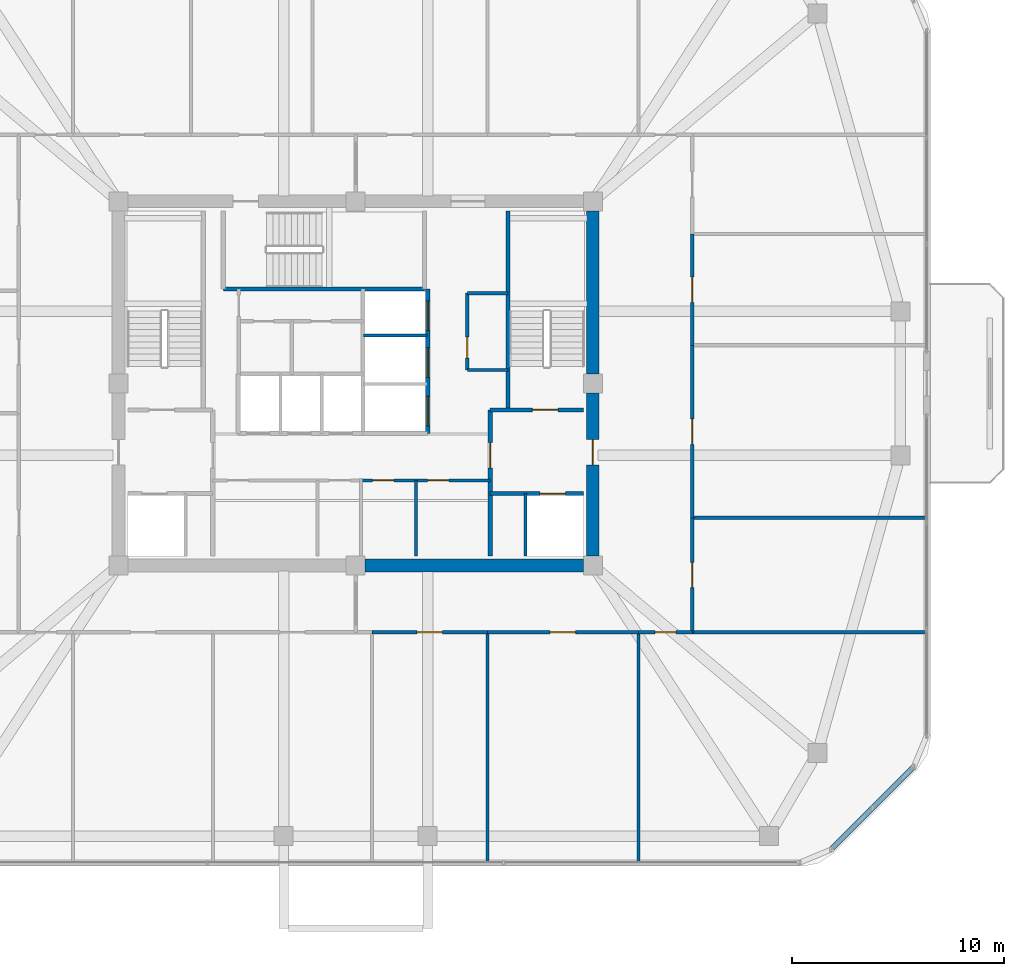
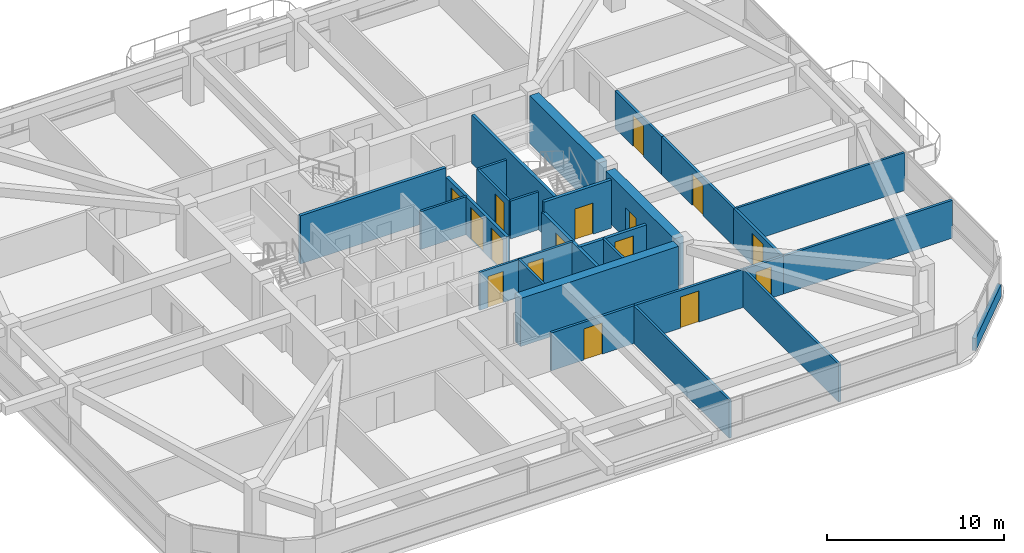
# One storey, part 10 of 14: 27 walls, 16 doors, 16 openings.
"""IFC4 building model written with IfcOpenShell, lengths in metres."""

from ifc_helpers import new_model, si_unit, derived_unit, direction, frame, frame_2d, origin, place, context, subcontext, project, spatial, rectangle, extrude, material, layer, layer_set, type_object, element, fill, save


model = new_model("IFC4")

# Units and contexts
model_context = context("Model", 3, precision=1e-05, world=origin(), true_north=direction((0.0, 1.0)))
body_context = subcontext(model_context, "Body", "Model", "MODEL_VIEW")
ifc_project = project(units=[si_unit("LENGTHUNIT", "METRE"), si_unit("AREAUNIT", "SQUARE_METRE"), si_unit("VOLUMEUNIT", "CUBIC_METRE"), si_unit("PLANEANGLEUNIT", "RADIAN"), si_unit("MASSUNIT", "GRAM", prefix="KILO"), derived_unit("THERMALTRANSMITTANCEUNIT", [(si_unit("POWERUNIT", "WATT"), 1), (si_unit("LENGTHUNIT", "METRE"), -2), (si_unit("THERMODYNAMICTEMPERATUREUNIT", "KELVIN"), -1)])], contexts=[model_context])

# Site, building, storey
site_placement = place(None, origin())
site = spatial("IfcSite", under=ifc_project, at=site_placement, CompositionType="ELEMENT")
building_placement = place(site_placement, origin())
building = spatial("IfcBuilding", under=site, at=building_placement, Name="Koralith Skygarden Medical Center", CompositionType="ELEMENT")
storey_placement = place(building_placement, frame((0.0, 0.0, 225.179931640625)))
storey = spatial("IfcBuildingStorey", under=building, at=storey_placement, Name="L58", CompositionType="ELEMENT", Elevation=225.179931640625)

# Wall, openings, doors
ifc_material_1 = material(Name="Gypsum Board Partition")
ifc_layer_1 = layer(ifc_material_1, 0.14990234375)
ifc_layer_set_1 = layer_set([ifc_layer_1], Name="Gypsum Board Partition")
wall_type_1 = type_object("IfcWallType", Name="Clinical Acoustic Partition 150", PredefinedType="PARTITIONING", material=ifc_layer_set_1)
wall_1_placement = place(storey_placement, frame((37.25, 21.320068359375, 0.0), z_axis=(0.0, 0.0, 1.0), x_axis=(1.0, 0.0, 0.0)))
wall_1 = element("IfcWall", 1, at=wall_1_placement, inside=storey, type_object=wall_type_1, Name="L58 Clinical Acoustic Partition 150 W-CORE-L58-FREED-MR-N", PredefinedType="PARTITIONING", context=body_context, shape_type="SweptSolid", body=[
    extrude(rectangle(XDim=6.10009765625, YDim=0.14990234375, at=frame_2d((3.050048828125, 0.0))), origin(), (0.0, 0.0, 1.0), 2.610107421875),
])
opening_1_placement = place(wall_1_placement, frame((0.550048828125, 0.0, 0.0)))
opening_1 = element("IfcOpeningElement", 2, at=opening_1_placement, cuts=wall_1, Name="Opening D-SUP", PredefinedType="OPENING", context=body_context, shape_type="SweptSolid", body=[
    extrude(rectangle(XDim=1.0, YDim=2.14990234375, at=frame_2d((0.5, 1.074951171875))), frame((0.0, 0.0849609375, 0.0), z_axis=(0.0, -1.0, 0.0), x_axis=(1.0, 0.0, 0.0)), (0.0, 0.0, 1.0), 0.169921875),
])
opening_2_placement = place(wall_1_placement, frame((3.14990234375, 0.0, 0.0)))
opening_2 = element("IfcOpeningElement", 3, at=opening_2_placement, cuts=wall_1, Name="Opening D-SUP", PredefinedType="OPENING", context=body_context, shape_type="SweptSolid", body=[
    extrude(rectangle(XDim=1.0, YDim=2.14990234375, at=frame_2d((0.5, 1.074951171875))), frame((0.0, 0.0849609375, 0.0), z_axis=(0.0, -1.0, 0.0), x_axis=(1.0, 0.0, 0.0)), (0.0, 0.0, 1.0), 0.169921875),
])
ifc_material_2 = material(Name="Aluminium 6063-T6", Category="aluminium")
door_type_1 = type_object("IfcDoorType", Name="Clinical Support Door D-SUP 1000", OperationType="NOTDEFINED", PredefinedType="DOOR", material=ifc_material_2)
door_1_placement = place(opening_1_placement, frame((1.0, 0.0, 0.0), z_axis=(0.0, 0.0, 1.0), x_axis=(-1.0, 0.0, 0.0)))
door_1 = element("IfcDoor", 4, at=door_1_placement, inside=storey, type_object=door_type_1, Name="L58 Satellite Pharmacy Door", OperationType="SINGLE_SWING_LEFT", OverallHeight=2.14990234375, OverallWidth=1.0, PredefinedType="DOOR", context=body_context, shape_type="SweptSolid", body=[
    extrude(rectangle(XDim=1.0, YDim=2.14990234375, at=frame_2d((0.5, 1.074951171875))), frame((0.0, 0.02490234375, 0.0), z_axis=(0.0, -1.0, 0.0), x_axis=(1.0, 0.0, 0.0)), (0.0, 0.0, 1.0), 0.050048828125),
])
fill(opening_1, door_1)
door_2_placement = place(opening_2_placement, frame((1.0, 0.0, 0.0), z_axis=(0.0, 0.0, 1.0), x_axis=(-1.0, 0.0, 0.0)))
door_2 = element("IfcDoor", 5, at=door_2_placement, inside=storey, type_object=door_type_1, Name="L58 Biomedical Equipment Door", OperationType="SINGLE_SWING_RIGHT", OverallHeight=2.14990234375, OverallWidth=1.0, PredefinedType="DOOR", context=body_context, shape_type="SweptSolid", body=[
    extrude(rectangle(XDim=1.0, YDim=2.14990234375, at=frame_2d((0.5, 1.074951171875))), frame((0.0, 0.02490234375, 0.0), z_axis=(0.0, -1.0, 0.0), x_axis=(1.0, 0.0, 0.0)), (0.0, 0.0, 1.0), 0.050048828125),
])
fill(opening_2, door_2)

# Wall
wall_2_placement = place(storey_placement, frame((39.85009765625, 17.75, 0.0), z_axis=(0.0, 0.0, 1.0), x_axis=(0.0, 1.0, 0.0)))
element("IfcWall", 6, at=wall_2_placement, inside=storey, type_object=wall_type_1, Name="L58 Clinical Acoustic Partition 150 W-CORE-L58-FREED-MR-M", PredefinedType="PARTITIONING", context=body_context, shape_type="SweptSolid", body=[
    extrude(rectangle(XDim=3.570068359375, YDim=0.14990234375, at=frame_2d((1.78515625, 0.0))), origin(), (0.0, 0.0, 1.0), 2.610107421875),
])

# Wall, opening, door
wall_3_placement = place(storey_placement, frame((42.27001953125, 26.5400390625, 0.0), z_axis=(0.0, 0.0, 1.0), x_axis=(0.0, 1.0, 0.0)))
wall_3 = element("IfcWall", 7, at=wall_3_placement, inside=storey, type_object=wall_type_1, Name="L58 Clinical Acoustic Partition 150 W-CORE-L58-ESUB-W", PredefinedType="PARTITIONING", context=body_context, shape_type="SweptSolid", body=[
    extrude(rectangle(XDim=3.619873046875, YDim=0.14990234375, at=frame_2d((1.81005859375, 0.0))), origin(), (0.0, 0.0, 1.0), 2.610107421875),
])
opening_3_placement = place(wall_3_placement, frame((0.550048828125, 0.0, 0.0)))
opening_3 = element("IfcOpeningElement", 8, at=opening_3_placement, cuts=wall_3, Name="Opening D-SUP", PredefinedType="OPENING", context=body_context, shape_type="SweptSolid", body=[
    extrude(rectangle(XDim=1.0, YDim=2.14990234375, at=frame_2d((0.5, 1.074951171875))), frame((0.0, 0.0849609375, 0.0), z_axis=(0.0, -1.0, 0.0), x_axis=(1.0, 0.0, 0.0)), (0.0, 0.0, 1.0), 0.169921875),
])
door_3_placement = place(opening_3_placement, origin())
door_3 = element("IfcDoor", 9, at=door_3_placement, inside=storey, type_object=door_type_1, Name="L58 Core Equipment Store Door", OperationType="SINGLE_SWING_LEFT", OverallHeight=2.14990234375, OverallWidth=1.0, PredefinedType="DOOR", context=body_context, shape_type="SweptSolid", body=[
    extrude(rectangle(XDim=1.0, YDim=2.14990234375, at=frame_2d((0.5, 1.074951171875))), frame((0.0, 0.02490234375, 0.0), z_axis=(0.0, -1.0, 0.0), x_axis=(1.0, 0.0, 0.0)), (0.0, 0.0, 1.0), 0.050048828125),
])
fill(opening_3, door_3)

# Walls
for number, where, z_axis, x_axis, name in (
    (10, (42.27001953125, 26.5400390625, 0.0), (0.0, 0.0, 1.0), (1.0, 0.0, 0.0), "L58 Clinical Acoustic Partition 150 W-CORE-L58-ESUB-S"),
    (11, (42.27001953125, 30.159912109375, 0.0), (0.0, 0.0, 1.0), (1.0, 0.0, 0.0), "L58 Clinical Acoustic Partition 150 W-CORE-L58-ESUB-N"),
):
    element("IfcWall", number, at=place(storey_placement, frame(where, z_axis=z_axis, x_axis=x_axis)), inside=storey, type_object=wall_type_1, Name=name, PredefinedType="PARTITIONING", context=body_context, shape_type="SweptSolid", body=[
        extrude(rectangle(XDim=1.929931640625, YDim=0.14990234375, at=frame_2d((0.96484375, 0.0))), origin(), (0.0, 0.0, 1.0), 2.610107421875),
    ])
for number, where, z_axis, x_axis, name in (
    (12, (43.220947265625, 14.14990234375, 0.0), (0.0, 0.0, 1.0), (0.0, -1.0, 0.0), "L58 Clinical Acoustic Partition 150 W-PART-L58-S-04"),
    (13, (50.35009765625, 14.14990234375, 0.0), (0.0, 0.0, 1.0), (0.0, -1.0, 0.0), "L58 Clinical Acoustic Partition 150 W-PART-L58-S-05"),
):
    element("IfcWall", number, at=place(storey_placement, frame(where, z_axis=z_axis, x_axis=x_axis)), inside=storey, type_object=wall_type_1, Name=name, PredefinedType="PARTITIONING", context=body_context, shape_type="SweptSolid", body=[
        extrude(rectangle(XDim=10.849853515625, YDim=0.14990234375, at=frame_2d((5.4248046875, 0.0))), origin(), (0.0, 0.0, 1.0), 2.610107421875),
    ])
wall_4_placement = place(storey_placement, frame((52.89990234375, 19.554931640625, 0.0), z_axis=(0.0, 0.0, 1.0), x_axis=(1.0, 0.0, 0.0)))
element("IfcWall", 14, at=wall_4_placement, inside=storey, type_object=wall_type_1, Name="L58 Clinical Acoustic Partition 150 W-PART-L58-E-01", PredefinedType="PARTITIONING", context=body_context, shape_type="SweptSolid", body=[
    extrude(rectangle(XDim=11.0419921875, YDim=0.14990234375, at=frame_2d((5.52099609375, 0.0))), origin(), (0.0, 0.0, 1.0), 2.610107421875),
])
ifc_layer_2 = layer(ifc_material_1, 0.1650390625)
ifc_layer_set_2 = layer_set([ifc_layer_2], Name="Gypsum Board Partition")
wall_type_2 = type_object("IfcWallType", Name="Clinical Corridor Partition 165", PredefinedType="PARTITIONING", material=ifc_layer_set_2)
wall_5_placement = place(storey_placement, frame((52.89990234375, 14.14990234375, 0.0), z_axis=(0.0, 0.0, 1.0), x_axis=(1.0, 0.0, 0.0)))
element("IfcWall", 15, at=wall_5_placement, inside=storey, type_object=wall_type_2, Name="L58 Clinical Corridor Partition 165 W-WB-L58-SE", PredefinedType="PARTITIONING", context=body_context, shape_type="SweptSolid", body=[
    extrude(rectangle(XDim=11.0419921875, YDim=0.1650390625, at=frame_2d((5.52099609375, 0.0))), origin(), (0.0, 0.0, 1.0), 2.610107421875),
])

# Wall, opening, door
wall_6_placement = place(storey_placement, frame((37.777099609375, 14.14990234375, 0.0), z_axis=(0.0, 0.0, 1.0), x_axis=(1.0, 0.0, 0.0)))
wall_6 = element("IfcWall", 16, at=wall_6_placement, inside=storey, type_object=wall_type_2, Name="L58 Clinical Corridor Partition 165 W-CORR-L58-S-04", PredefinedType="PARTITIONING", context=body_context, shape_type="SweptSolid", body=[
    extrude(rectangle(XDim=5.44384765625, YDim=0.1650390625, at=frame_2d((2.721923828125, 0.0))), origin(), (0.0, 0.0, 1.0), 2.610107421875),
])
opening_4_placement = place(wall_6_placement, frame((2.1220703125, 0.0, 0.0)))
opening_4 = element("IfcOpeningElement", 17, at=opening_4_placement, cuts=wall_6, Name="Opening D-CLN", PredefinedType="OPENING", context=body_context, shape_type="SweptSolid", body=[
    extrude(rectangle(XDim=1.199951171875, YDim=2.14990234375, at=frame_2d((0.60009765625, 1.074951171875))), frame((0.0, 0.092529296875, 0.0), z_axis=(0.0, -1.0, 0.0), x_axis=(1.0, 0.0, 0.0)), (0.0, 0.0, 1.0), 0.18505859375),
])
door_type_2 = type_object("IfcDoorType", Name="Clinical Corridor Door D-CLN 1200", OperationType="NOTDEFINED", PredefinedType="DOOR", material=ifc_material_2)
door_4_placement = place(opening_4_placement, frame((1.199951171875, 0.0, 0.0), z_axis=(0.0, 0.0, 1.0), x_axis=(-1.0, 0.0, 0.0)))
door_4 = element("IfcDoor", 18, at=door_4_placement, inside=storey, type_object=door_type_2, Name="L58 Medical Resident Teaching Seminar Room 10 Door", OperationType="SINGLE_SWING_LEFT", OverallHeight=2.14990234375, OverallWidth=1.199951171875, PredefinedType="DOOR", context=body_context, shape_type="SweptSolid", body=[
    extrude(rectangle(XDim=1.199951171875, YDim=2.14990234375, at=frame_2d((0.60009765625, 1.074951171875))), frame((0.0, 0.02490234375, 0.0), z_axis=(0.0, -1.0, 0.0), x_axis=(1.0, 0.0, 0.0)), (0.0, 0.0, 1.0), 0.050048828125),
])
fill(opening_4, door_4)

wall_7_placement = place(storey_placement, frame((43.220947265625, 14.14990234375, 0.0), z_axis=(0.0, 0.0, 1.0), x_axis=(1.0, 0.0, 0.0)))
wall_7 = element("IfcWall", 19, at=wall_7_placement, inside=storey, type_object=wall_type_2, Name="L58 Clinical Corridor Partition 165 W-CORR-L58-S-05", PredefinedType="PARTITIONING", context=body_context, shape_type="SweptSolid", body=[
    extrude(rectangle(XDim=7.129150390625, YDim=0.1650390625, at=frame_2d((3.564453125, 0.0))), origin(), (0.0, 0.0, 1.0), 2.610107421875),
])
opening_5_placement = place(wall_7_placement, frame((2.965087890625, 0.0, 0.0)))
opening_5 = element("IfcOpeningElement", 20, at=opening_5_placement, cuts=wall_7, Name="Opening D-CLN", PredefinedType="OPENING", context=body_context, shape_type="SweptSolid", body=[
    extrude(rectangle(XDim=1.199951171875, YDim=2.14990234375, at=frame_2d((0.60009765625, 1.074951171875))), frame((0.0, 0.092529296875, 0.0), z_axis=(0.0, -1.0, 0.0), x_axis=(1.0, 0.0, 0.0)), (0.0, 0.0, 1.0), 0.18505859375),
])
door_5_placement = place(opening_5_placement, frame((1.199951171875, 0.0, 0.0), z_axis=(0.0, 0.0, 1.0), x_axis=(-1.0, 0.0, 0.0)))
door_5 = element("IfcDoor", 21, at=door_5_placement, inside=storey, type_object=door_type_2, Name="L58 Care Coordinator Office 11 Door", OperationType="SINGLE_SWING_RIGHT", OverallHeight=2.14990234375, OverallWidth=1.199951171875, PredefinedType="DOOR", context=body_context, shape_type="SweptSolid", body=[
    extrude(rectangle(XDim=1.199951171875, YDim=2.14990234375, at=frame_2d((0.60009765625, 1.074951171875))), frame((0.0, 0.02490234375, 0.0), z_axis=(0.0, -1.0, 0.0), x_axis=(1.0, 0.0, 0.0)), (0.0, 0.0, 1.0), 0.050048828125),
])
fill(opening_5, door_5)

wall_8_placement = place(storey_placement, frame((50.35009765625, 14.14990234375, 0.0), z_axis=(0.0, 0.0, 1.0), x_axis=(1.0, 0.0, 0.0)))
wall_8 = element("IfcWall", 22, at=wall_8_placement, inside=storey, type_object=wall_type_2, Name="L58 Clinical Corridor Partition 165 W-CORR-L58-S-06", PredefinedType="PARTITIONING", context=body_context, shape_type="SweptSolid", body=[
    extrude(rectangle(XDim=2.5498046875, YDim=0.1650390625, at=frame_2d((1.27490234375, 0.0))), origin(), (0.0, 0.0, 1.0), 2.610107421875),
])
opening_6_placement = place(wall_8_placement, frame((0.77490234375, 0.0, 0.0)))
opening_6 = element("IfcOpeningElement", 23, at=opening_6_placement, cuts=wall_8, Name="Opening D-SUP", PredefinedType="OPENING", context=body_context, shape_type="SweptSolid", body=[
    extrude(rectangle(XDim=1.0, YDim=2.14990234375, at=frame_2d((0.5, 1.074951171875))), frame((0.0, 0.092529296875, 0.0), z_axis=(0.0, -1.0, 0.0), x_axis=(1.0, 0.0, 0.0)), (0.0, 0.0, 1.0), 0.18505859375),
])
door_6_placement = place(opening_6_placement, frame((1.0, 0.0, 0.0), z_axis=(0.0, 0.0, 1.0), x_axis=(-1.0, 0.0, 0.0)))
door_6 = element("IfcDoor", 24, at=door_6_placement, inside=storey, type_object=door_type_1, Name="L58 Sterile Supply Equipment Store 12 Door", OperationType="SINGLE_SWING_LEFT", OverallHeight=2.14990234375, OverallWidth=1.0, PredefinedType="DOOR", context=body_context, shape_type="SweptSolid", body=[
    extrude(rectangle(XDim=1.0, YDim=2.14990234375, at=frame_2d((0.5, 1.074951171875))), frame((0.0, 0.02490234375, 0.0), z_axis=(0.0, -1.0, 0.0), x_axis=(1.0, 0.0, 0.0)), (0.0, 0.0, 1.0), 0.050048828125),
])
fill(opening_6, door_6)

wall_9_placement = place(storey_placement, frame((52.89990234375, 14.14990234375, 0.0), z_axis=(0.0, 0.0, 1.0), x_axis=(0.0, 1.0, 0.0)))
wall_9 = element("IfcWall", 25, at=wall_9_placement, inside=storey, type_object=wall_type_2, Name="L58 Clinical Corridor Partition 165 W-CORR-L58-E-01", PredefinedType="PARTITIONING", context=body_context, shape_type="SweptSolid", body=[
    extrude(rectangle(XDim=5.405029296875, YDim=0.1650390625, at=frame_2d((2.70263671875, 0.0))), origin(), (0.0, 0.0, 1.0), 2.610107421875),
])
opening_7_placement = place(wall_9_placement, frame((2.10205078125, 0.0, 0.0)))
opening_7 = element("IfcOpeningElement", 26, at=opening_7_placement, cuts=wall_9, Name="Opening D-CLN", PredefinedType="OPENING", context=body_context, shape_type="SweptSolid", body=[
    extrude(rectangle(XDim=1.199951171875, YDim=2.14990234375, at=frame_2d((0.60009765625, 1.074951171875))), frame((0.0, 0.092529296875, 0.0), z_axis=(0.0, -1.0, 0.0), x_axis=(1.0, 0.0, 0.0)), (0.0, 0.0, 1.0), 0.18505859375),
])
door_7_placement = place(opening_7_placement, origin())
door_7 = element("IfcDoor", 27, at=door_7_placement, inside=storey, type_object=door_type_2, Name="L58 Sterile Supply Equipment Store 16 Door", OperationType="SINGLE_SWING_LEFT", OverallHeight=2.14990234375, OverallWidth=1.199951171875, PredefinedType="DOOR", context=body_context, shape_type="SweptSolid", body=[
    extrude(rectangle(XDim=1.199951171875, YDim=2.14990234375, at=frame_2d((0.60009765625, 1.074951171875))), frame((0.0, 0.02490234375, 0.0), z_axis=(0.0, -1.0, 0.0), x_axis=(1.0, 0.0, 0.0)), (0.0, 0.0, 1.0), 0.050048828125),
])
fill(opening_7, door_7)

wall_10_placement = place(storey_placement, frame((52.89990234375, 19.554931640625, 0.0), z_axis=(0.0, 0.0, 1.0), x_axis=(0.0, 1.0, 0.0)))
wall_10 = element("IfcWall", 28, at=wall_10_placement, inside=storey, type_object=wall_type_2, Name="L58 Clinical Corridor Partition 165 W-CORR-L58-E-02", PredefinedType="PARTITIONING", context=body_context, shape_type="SweptSolid", body=[
    extrude(rectangle(XDim=8.14501953125, YDim=0.1650390625, at=frame_2d((4.072509765625, 0.0))), origin(), (0.0, 0.0, 1.0), 2.610107421875),
])
opening_8_placement = place(wall_10_placement, frame((3.471923828125, 0.0, 0.0)))
opening_8 = element("IfcOpeningElement", 29, at=opening_8_placement, cuts=wall_10, Name="Opening D-CLN", PredefinedType="OPENING", context=body_context, shape_type="SweptSolid", body=[
    extrude(rectangle(XDim=1.199951171875, YDim=2.14990234375, at=frame_2d((0.60009765625, 1.074951171875))), frame((0.0, 0.092529296875, 0.0), z_axis=(0.0, -1.0, 0.0), x_axis=(1.0, 0.0, 0.0)), (0.0, 0.0, 1.0), 0.18505859375),
])
door_8_placement = place(opening_8_placement, origin())
door_8 = element("IfcDoor", 30, at=door_8_placement, inside=storey, type_object=door_type_2, Name="L58 Patient and Family Sky-Garden Day Lounge 17 Door", OperationType="SINGLE_SWING_RIGHT", OverallHeight=2.14990234375, OverallWidth=1.199951171875, PredefinedType="DOOR", context=body_context, shape_type="SweptSolid", body=[
    extrude(rectangle(XDim=1.199951171875, YDim=2.14990234375, at=frame_2d((0.60009765625, 1.074951171875))), frame((0.0, 0.02490234375, 0.0), z_axis=(0.0, -1.0, 0.0), x_axis=(1.0, 0.0, 0.0)), (0.0, 0.0, 1.0), 0.050048828125),
])
fill(opening_8, door_8)

wall_11_placement = place(storey_placement, frame((52.89990234375, 27.699951171875, 0.0), z_axis=(0.0, 0.0, 1.0), x_axis=(0.0, 1.0, 0.0)))
wall_11 = element("IfcWall", 31, at=wall_11_placement, inside=storey, type_object=wall_type_2, Name="L58 Clinical Corridor Partition 165 W-CORR-L58-E-03", PredefinedType="PARTITIONING", context=body_context, shape_type="SweptSolid", body=[
    extrude(rectangle(XDim=5.25, YDim=0.1650390625, at=frame_2d((2.625, 0.0))), origin(), (0.0, 0.0, 1.0), 2.610107421875),
])
opening_9_placement = place(wall_11_placement, frame((2.02490234375, 0.0, 0.0)))
opening_9 = element("IfcOpeningElement", 32, at=opening_9_placement, cuts=wall_11, Name="Opening D-CLN", PredefinedType="OPENING", context=body_context, shape_type="SweptSolid", body=[
    extrude(rectangle(XDim=1.199951171875, YDim=2.14990234375, at=frame_2d((0.60009765625, 1.074951171875))), frame((0.0, 0.092529296875, 0.0), z_axis=(0.0, -1.0, 0.0), x_axis=(1.0, 0.0, 0.0)), (0.0, 0.0, 1.0), 0.18505859375),
])
door_9_placement = place(opening_9_placement, origin())
door_9 = element("IfcDoor", 33, at=door_9_placement, inside=storey, type_object=door_type_2, Name="L58 Clinical Consultation Office 18 Door", OperationType="SINGLE_SWING_LEFT", OverallHeight=2.14990234375, OverallWidth=1.199951171875, PredefinedType="DOOR", context=body_context, shape_type="SweptSolid", body=[
    extrude(rectangle(XDim=1.199951171875, YDim=2.14990234375, at=frame_2d((0.60009765625, 1.074951171875))), frame((0.0, 0.02490234375, 0.0), z_axis=(0.0, -1.0, 0.0), x_axis=(1.0, 0.0, 0.0)), (0.0, 0.0, 1.0), 0.050048828125),
])
fill(opening_9, door_9)

ifc_layer_3 = layer(ifc_material_1, 0.199951171875)
ifc_layer_set_3 = layer_set([ifc_layer_3], Name="Gypsum Board Partition")
wall_type_3 = type_object("IfcWallType", Name="Fire Shaft Wall 200", PredefinedType="SOLIDWALL", material=ifc_layer_set_3)
wall_12_placement = place(storey_placement, frame((43.35009765625, 20.699951171875, 0.0), z_axis=(0.0, 0.0, 1.0), x_axis=(1.0, 0.0, 0.0)))
wall_12 = element("IfcWall", 34, at=wall_12_placement, inside=storey, type_object=wall_type_3, Name="L58 Fire Shaft Wall 200 W-CORE-L58-FF2-N", PredefinedType="SOLIDWALL", context=body_context, shape_type="SweptSolid", body=[
    extrude(rectangle(XDim=4.39990234375, YDim=0.199951171875, at=frame_2d((2.199951171875, 0.0))), origin(), (0.0, 0.0, 1.0), 2.610107421875),
])
opening_10_placement = place(wall_12_placement, frame((2.35009765625, 0.0, 0.0)))
opening_10 = element("IfcOpeningElement", 35, at=opening_10_placement, cuts=wall_12, Name="Opening LD-FF", PredefinedType="OPENING", context=body_context, shape_type="SweptSolid", body=[
    extrude(rectangle(XDim=1.199951171875, YDim=2.14990234375, at=frame_2d((0.60009765625, 1.074951171875))), frame((0.0, 0.10986328125, 0.0), z_axis=(0.0, -1.0, 0.0), x_axis=(1.0, 0.0, 0.0)), (0.0, 0.0, 1.0), 0.219970703125),
])
ifc_material_3 = material(Name="Steel ASTM A500 Grade C", Category="steel")
door_type_3 = type_object("IfcDoorType", Name="Fire Lift Sliding Landing Door LD-FF 1200", OperationType="NOTDEFINED", PredefinedType="DOOR", material=ifc_material_3)
door_10_placement = place(opening_10_placement, origin())
door_10 = element("IfcDoor", 36, at=door_10_placement, inside=storey, type_object=door_type_3, Name="L58 Fire Service Elevator FF2 Landing Door", OperationType="SLIDING_TO_RIGHT", OverallHeight=2.14990234375, OverallWidth=1.199951171875, PredefinedType="DOOR", context=body_context, shape_type="SweptSolid", body=[
    extrude(rectangle(XDim=1.199951171875, YDim=2.14990234375, at=frame_2d((0.60009765625, 1.074951171875))), frame((0.0, 0.02490234375, 0.0), z_axis=(0.0, -1.0, 0.0), x_axis=(1.0, 0.0, 0.0)), (0.0, 0.0, 1.0), 0.050048828125),
])
fill(opening_10, door_10)

wall_13_placement = place(storey_placement, frame((43.35009765625, 17.75, 0.0), z_axis=(0.0, 0.0, 1.0), x_axis=(0.0, 1.0, 0.0)))
wall_13 = element("IfcWall", 37, at=wall_13_placement, inside=storey, type_object=wall_type_3, Name="L58 Fire Shaft Wall 200 W-CORE-L58-FSAEE-W", PredefinedType="SOLIDWALL", context=body_context, shape_type="SweptSolid", body=[
    extrude(rectangle(XDim=6.89990234375, YDim=0.199951171875, at=frame_2d((3.449951171875, 0.0))), origin(), (0.0, 0.0, 1.0), 2.610107421875),
])
opening_11_placement = place(wall_13_placement, frame((4.14990234375, 0.0, 0.0)))
opening_11 = element("IfcOpeningElement", 38, at=opening_11_placement, cuts=wall_13, Name="Opening D-ST60", PredefinedType="OPENING", context=body_context, shape_type="SweptSolid", body=[
    extrude(rectangle(XDim=1.199951171875, YDim=2.14990234375, at=frame_2d((0.60009765625, 1.074951171875))), frame((0.0, 0.10986328125, 0.0), z_axis=(0.0, -1.0, 0.0), x_axis=(1.0, 0.0, 0.0)), (0.0, 0.0, 1.0), 0.219970703125),
])
door_type_4 = type_object("IfcDoorType", Name="Smokeproof Stair Fire Door FD60S 1200", OperationType="NOTDEFINED", PredefinedType="DOOR", material=ifc_material_3)
door_11_placement = place(opening_11_placement, frame((1.199951171875, 0.0, 0.0), z_axis=(0.0, 0.0, 1.0), x_axis=(-1.0, 0.0, 0.0)))
door_11 = element("IfcDoor", 39, at=door_11_placement, inside=storey, type_object=door_type_4, Name="L58 East Firefighting Lobby Inner Fire Door", OperationType="SINGLE_SWING_RIGHT", OverallHeight=2.14990234375, OverallWidth=1.199951171875, PredefinedType="DOOR", context=body_context, shape_type="SweptSolid", body=[
    extrude(rectangle(XDim=1.199951171875, YDim=2.14990234375, at=frame_2d((0.60009765625, 1.074951171875))), frame((0.0, 0.02490234375, 0.0), z_axis=(0.0, -1.0, 0.0), x_axis=(1.0, 0.0, 0.0)), (0.0, 0.0, 1.0), 0.050048828125),
])
fill(opening_11, door_11)

# Wall, openings, doors
wall_14_placement = place(storey_placement, frame((40.39990234375, 23.5400390625, 0.0), z_axis=(0.0, 0.0, 1.0), x_axis=(0.0, 1.0, 0.0)))
wall_14 = element("IfcWall", 40, at=wall_14_placement, inside=storey, type_object=wall_type_3, Name="L58 Fire Shaft Wall 200 W-CORE-L58-SV-E", PredefinedType="SOLIDWALL", context=body_context, shape_type="SweptSolid", body=[
    extrude(rectangle(XDim=6.820068359375, YDim=0.199951171875, at=frame_2d((3.41015625, 0.0))), origin(), (0.0, 0.0, 1.0), 2.610107421875),
])
opening_12_placement = place(wall_14_placement, frame((0.35009765625, 0.0, 0.0)))
opening_12 = element("IfcOpeningElement", 41, at=opening_12_placement, cuts=wall_14, Name="Opening LD-SV", PredefinedType="OPENING", context=body_context, shape_type="SweptSolid", body=[
    extrude(rectangle(XDim=1.39990234375, YDim=2.199951171875, at=frame_2d((0.699951171875, 1.10009765625))), frame((0.0, 0.10986328125, 0.0), z_axis=(0.0, -1.0, 0.0), x_axis=(1.0, 0.0, 0.0)), (0.0, 0.0, 1.0), 0.219970703125),
])
opening_13_placement = place(wall_14_placement, frame((2.64990234375, 0.0, 0.0)))
opening_13 = element("IfcOpeningElement", 42, at=opening_13_placement, cuts=wall_14, Name="Opening LD-SV", PredefinedType="OPENING", context=body_context, shape_type="SweptSolid", body=[
    extrude(rectangle(XDim=1.39990234375, YDim=2.199951171875, at=frame_2d((0.699951171875, 1.10009765625))), frame((0.0, 0.10986328125, 0.0), z_axis=(0.0, -1.0, 0.0), x_axis=(1.0, 0.0, 0.0)), (0.0, 0.0, 1.0), 0.219970703125),
])
opening_14_placement = place(wall_14_placement, frame((4.85009765625, 0.0, 0.0)))
opening_14 = element("IfcOpeningElement", 43, at=opening_14_placement, cuts=wall_14, Name="Opening LD-SV", PredefinedType="OPENING", context=body_context, shape_type="SweptSolid", body=[
    extrude(rectangle(XDim=1.39990234375, YDim=2.199951171875, at=frame_2d((0.699951171875, 1.10009765625))), frame((0.0, 0.10986328125, 0.0), z_axis=(0.0, -1.0, 0.0), x_axis=(1.0, 0.0, 0.0)), (0.0, 0.0, 1.0), 0.219970703125),
])
door_type_5 = type_object("IfcDoorType", Name="Bed Lift Sliding Landing Door LD-SV 1400", OperationType="NOTDEFINED", PredefinedType="DOOR", material=ifc_material_3)
door_12_placement = place(opening_12_placement, origin())
door_12 = element("IfcDoor", 44, at=door_12_placement, inside=storey, type_object=door_type_5, Name="L58 Bed Elevator BD1 Landing Door", OperationType="SLIDING_TO_LEFT", OverallHeight=2.199951171875, OverallWidth=1.39990234375, PredefinedType="DOOR", context=body_context, shape_type="SweptSolid", body=[
    extrude(rectangle(XDim=1.39990234375, YDim=2.199951171875, at=frame_2d((0.699951171875, 1.10009765625))), frame((0.0, 0.02490234375, 0.0), z_axis=(0.0, -1.0, 0.0), x_axis=(1.0, 0.0, 0.0)), (0.0, 0.0, 1.0), 0.050048828125),
])
fill(opening_12, door_12)
door_13_placement = place(opening_13_placement, origin())
door_13 = element("IfcDoor", 45, at=door_13_placement, inside=storey, type_object=door_type_5, Name="L58 Service Elevator BD2 Landing Door", OperationType="SLIDING_TO_LEFT", OverallHeight=2.199951171875, OverallWidth=1.39990234375, PredefinedType="DOOR", context=body_context, shape_type="SweptSolid", body=[
    extrude(rectangle(XDim=1.39990234375, YDim=2.199951171875, at=frame_2d((0.699951171875, 1.10009765625))), frame((0.0, 0.02490234375, 0.0), z_axis=(0.0, -1.0, 0.0), x_axis=(1.0, 0.0, 0.0)), (0.0, 0.0, 1.0), 0.050048828125),
])
fill(opening_13, door_13)
door_14_placement = place(opening_14_placement, origin())
door_14 = element("IfcDoor", 46, at=door_14_placement, inside=storey, type_object=door_type_5, Name="L58 Trauma Elevator TR1 Landing Door", OperationType="SLIDING_TO_RIGHT", OverallHeight=2.199951171875, OverallWidth=1.39990234375, PredefinedType="DOOR", context=body_context, shape_type="SweptSolid", body=[
    extrude(rectangle(XDim=1.39990234375, YDim=2.199951171875, at=frame_2d((0.699951171875, 1.10009765625))), frame((0.0, 0.02490234375, 0.0), z_axis=(0.0, -1.0, 0.0), x_axis=(1.0, 0.0, 0.0)), (0.0, 0.0, 1.0), 0.050048828125),
])
fill(opening_14, door_14)

# Walls
ifc_material_4 = material(Name="Warm Oolitic Limestone Cladding", Category="masonry")
ifc_layer_4 = layer(ifc_material_4, 0.239990234375)
ifc_layer_set_4 = layer_set([ifc_layer_4], Name="Warm Oolitic Limestone Cladding")
wall_type_4 = type_object("IfcWallType", Name="Limestone Spandrel Sill Backup Wall 240", PredefinedType="SOLIDWALL", material=ifc_layer_set_4)
wall_15_placement = place(storey_placement, frame((59.43798828125, 3.881103515625, 0.0), z_axis=(0.0, 0.0, 1.0), x_axis=(0.707128783731, 0.707084777957, 0.0)))
element("IfcWall", 47, at=wall_15_placement, inside=storey, type_object=wall_type_4, Name="L58 Sill Spandrel SE", PredefinedType="SOLIDWALL", context=body_context, shape_type="SweptSolid", body=[
    extrude(rectangle(XDim=5.5478515625, YDim=0.239990234375, at=frame_2d((2.77392578125, 0.0))), origin(), (0.0, 0.0, 1.0), 0.85009765625),
])
ifc_layer_5 = layer(ifc_material_1, 0.14990234375)
ifc_layer_set_5 = layer_set([ifc_layer_5], Name="Gypsum Board Partition")
wall_type_5 = type_object("IfcWallType", Name="Shaft Partition Wall 150", PredefinedType="PARTITIONING", material=ifc_layer_set_5)
wall_16_placement = place(storey_placement, frame((45.02001953125, 17.75, 0.0), z_axis=(0.0, 0.0, 1.0), x_axis=(0.0, 1.0, 0.0)))
element("IfcWall", 48, at=wall_16_placement, inside=storey, type_object=wall_type_5, Name="L58 Shaft Partition Wall 150 W-CORE-L58-RSRE-DIV", PredefinedType="PARTITIONING", context=body_context, shape_type="SweptSolid", body=[
    extrude(rectangle(XDim=2.949951171875, YDim=0.14990234375, at=frame_2d((1.47509765625, 0.0))), origin(), (0.0, 0.0, 1.0), 2.610107421875),
])
wall_17_placement = place(storey_placement, frame((37.3701171875, 28.169921875, 0.0), z_axis=(0.0, 0.0, 1.0), x_axis=(1.0, 0.0, 0.0)))
element("IfcWall", 49, at=wall_17_placement, inside=storey, type_object=wall_type_5, Name="L58 Shaft Partition Wall 150 W-CORE-L58-SV-D2", PredefinedType="PARTITIONING", context=body_context, shape_type="SweptSolid", body=[
    extrude(rectangle(XDim=3.009765625, YDim=0.14990234375, at=frame_2d((1.5048828125, 0.0))), origin(), (0.0, 0.0, 1.0), 2.610107421875),
])
ifc_material_5 = material(Name="Concrete C45/55", Category="concrete")
ifc_layer_6 = layer(ifc_material_5, 0.199951171875)
ifc_layer_set_6 = layer_set([ifc_layer_6], Name="Concrete C45/55")
wall_type_6 = type_object("IfcWallType", Name="Structural Stair Shaft Wall 200", PredefinedType="SHEAR", material=ifc_layer_set_6)
wall_18_placement = place(storey_placement, frame((44.199951171875, 24.64990234375, 0.0), z_axis=(0.0, 0.0, 1.0), x_axis=(0.0, 1.0, 0.0)))
element("IfcWall", 50, at=wall_18_placement, inside=storey, type_object=wall_type_6, Name="L58 Structural Stair Shaft Wall 200 W-CORE-L58-ST2-W", PredefinedType="SHEAR", context=body_context, shape_type="SweptSolid", body=[
    extrude(rectangle(XDim=9.400146484375, YDim=0.199951171875, at=frame_2d((4.7001953125, 0.0))), origin(), (0.0, 0.0, 1.0), 3.320068359375),
])

# Wall, opening, door
wall_19_placement = place(storey_placement, frame((43.35009765625, 24.64990234375, 0.0), z_axis=(0.0, 0.0, 1.0), x_axis=(1.0, 0.0, 0.0)))
wall_19 = element("IfcWall", 51, at=wall_19_placement, inside=storey, type_object=wall_type_6, Name="L58 Structural Stair Shaft Wall 200 W-CORE-L58-ST2-S", PredefinedType="SHEAR", context=body_context, shape_type="SweptSolid", body=[
    extrude(rectangle(XDim=4.39990234375, YDim=0.199951171875, at=frame_2d((2.199951171875, 0.0))), origin(), (0.0, 0.0, 1.0), 3.320068359375),
])
opening_15_placement = place(wall_19_placement, frame((2.0, 0.0, 0.0)))
opening_15 = element("IfcOpeningElement", 52, at=opening_15_placement, cuts=wall_19, Name="Opening D-ST60", PredefinedType="OPENING", context=body_context, shape_type="SweptSolid", body=[
    extrude(rectangle(XDim=1.199951171875, YDim=2.14990234375, at=frame_2d((0.60009765625, 1.074951171875))), frame((0.0, 0.10986328125, 0.0), z_axis=(0.0, -1.0, 0.0), x_axis=(1.0, 0.0, 0.0)), (0.0, 0.0, 1.0), 0.219970703125),
])
door_15_placement = place(opening_15_placement, origin())
door_15 = element("IfcDoor", 53, at=door_15_placement, inside=storey, type_object=door_type_4, Name="L58 Exit Stair ST2 Fire Door", OperationType="SINGLE_SWING_RIGHT", OverallHeight=2.14990234375, OverallWidth=1.199951171875, PredefinedType="DOOR", context=body_context, shape_type="SweptSolid", body=[
    extrude(rectangle(XDim=1.199951171875, YDim=2.14990234375, at=frame_2d((0.60009765625, 1.074951171875))), frame((0.0, 0.02490234375, 0.0), z_axis=(0.0, -1.0, 0.0), x_axis=(1.0, 0.0, 0.0)), (0.0, 0.0, 1.0), 0.050048828125),
])
fill(opening_15, door_15)

# Walls
wall_20_placement = place(storey_placement, frame((30.75, 30.360107421875, 0.0), z_axis=(0.0, 0.0, 1.0), x_axis=(1.0, 0.0, 0.0)))
element("IfcWall", 54, at=wall_20_placement, inside=storey, type_object=wall_type_6, Name="L58 Structural Stair Shaft Wall 200 W-CORE-L58-ST3-S", PredefinedType="SHEAR", context=body_context, shape_type="SweptSolid", body=[
    extrude(rectangle(XDim=9.5, YDim=0.199951171875, at=frame_2d((4.75, 0.0))), origin(), (0.0, 0.0, 1.0), 3.320068359375),
])
ifc_material_6 = material(Name="Concrete C55/67", Category="concrete")
ifc_layer_7 = layer(ifc_material_6, 0.60009765625)
ifc_layer_set_7 = layer_set([ifc_layer_7], Name="Concrete C55/67")
wall_type_7 = type_object("IfcWallType", Name="Upper Core Shear Wall 600", PredefinedType="SHEAR", material=ifc_layer_set_7)
wall_21_placement = place(storey_placement, frame((37.445068359375, 17.300048828125, 0.0), z_axis=(0.0, 0.0, 1.0), x_axis=(1.0, 0.0, 0.0)))
element("IfcWall", 55, at=wall_21_placement, inside=storey, type_object=wall_type_7, Name="L58 Core Shear Wall Segment 2", PredefinedType="SHEAR", context=body_context, shape_type="SweptSolid", body=[
    extrude(rectangle(XDim=10.309814453125, YDim=0.60009765625, at=frame_2d((5.15478515625, 0.0))), origin(), (0.0, 0.0, 1.0), 3.320068359375),
])

# Wall, opening, door
wall_22_placement = place(storey_placement, frame((48.199951171875, 17.7451171875, 0.0), z_axis=(0.0, 0.0, 1.0), x_axis=(0.0, 1.0, 0.0)))
wall_22 = element("IfcWall", 56, at=wall_22_placement, inside=storey, type_object=wall_type_7, Name="L58 Core Shear Wall Segment 3", PredefinedType="SHEAR", context=body_context, shape_type="SweptSolid", body=[
    extrude(rectangle(XDim=7.7099609375, YDim=0.60009765625, at=frame_2d((3.85498046875, 0.0))), origin(), (0.0, 0.0, 1.0), 3.320068359375),
])
opening_16_placement = place(wall_22_placement, frame((4.304931640625, 0.0, 0.0)))
opening_16 = element("IfcOpeningElement", 57, at=opening_16_placement, cuts=wall_22, Name="Opening D-ST60", PredefinedType="OPENING", context=body_context, shape_type="SweptSolid", body=[
    extrude(rectangle(XDim=1.199951171875, YDim=2.14990234375, at=frame_2d((0.60009765625, 1.074951171875))), frame((0.0, 0.31005859375, 0.0), z_axis=(0.0, -1.0, 0.0), x_axis=(1.0, 0.0, 0.0)), (0.0, 0.0, 1.0), 0.6201171875),
])
door_16_placement = place(opening_16_placement, frame((1.199951171875, 0.0, 0.0), z_axis=(0.0, 0.0, 1.0), x_axis=(-1.0, 0.0, 0.0)))
door_16 = element("IfcDoor", 58, at=door_16_placement, inside=storey, type_object=door_type_4, Name="L58 East Corridor to Firefighting Lobby Door", OperationType="SINGLE_SWING_RIGHT", OverallHeight=2.14990234375, OverallWidth=1.199951171875, PredefinedType="DOOR", context=body_context, shape_type="SweptSolid", body=[
    extrude(rectangle(XDim=1.199951171875, YDim=2.14990234375, at=frame_2d((0.60009765625, 1.074951171875))), frame((0.0, 0.02490234375, 0.0), z_axis=(0.0, -1.0, 0.0), x_axis=(1.0, 0.0, 0.0)), (0.0, 0.0, 1.0), 0.050048828125),
])
fill(opening_16, door_16)

# Wall
wall_23_placement = place(storey_placement, frame((48.199951171875, 26.344970703125, 0.0), z_axis=(0.0, 0.0, 1.0), x_axis=(0.0, 1.0, 0.0)))
element("IfcWall", 59, at=wall_23_placement, inside=storey, type_object=wall_type_7, Name="L58 Core Shear Wall Segment 4", PredefinedType="SHEAR", context=body_context, shape_type="SweptSolid", body=[
    extrude(rectangle(XDim=7.7099609375, YDim=0.60009765625, at=frame_2d((3.85498046875, 0.0))), origin(), (0.0, 0.0, 1.0), 3.320068359375),
])

save(model, "model.ifc")
